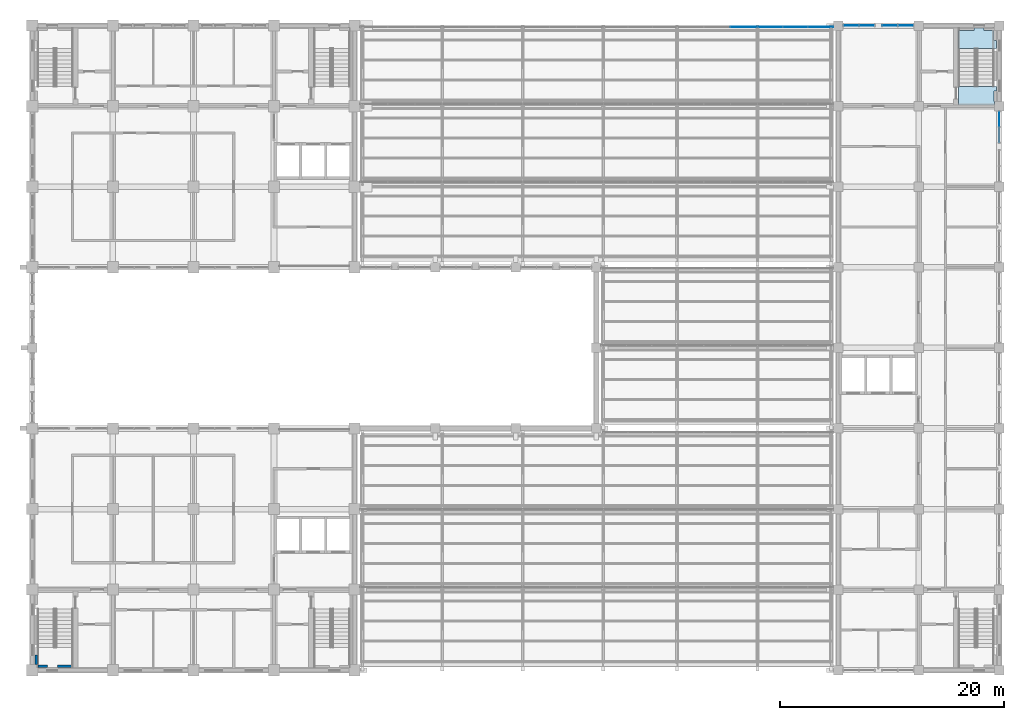
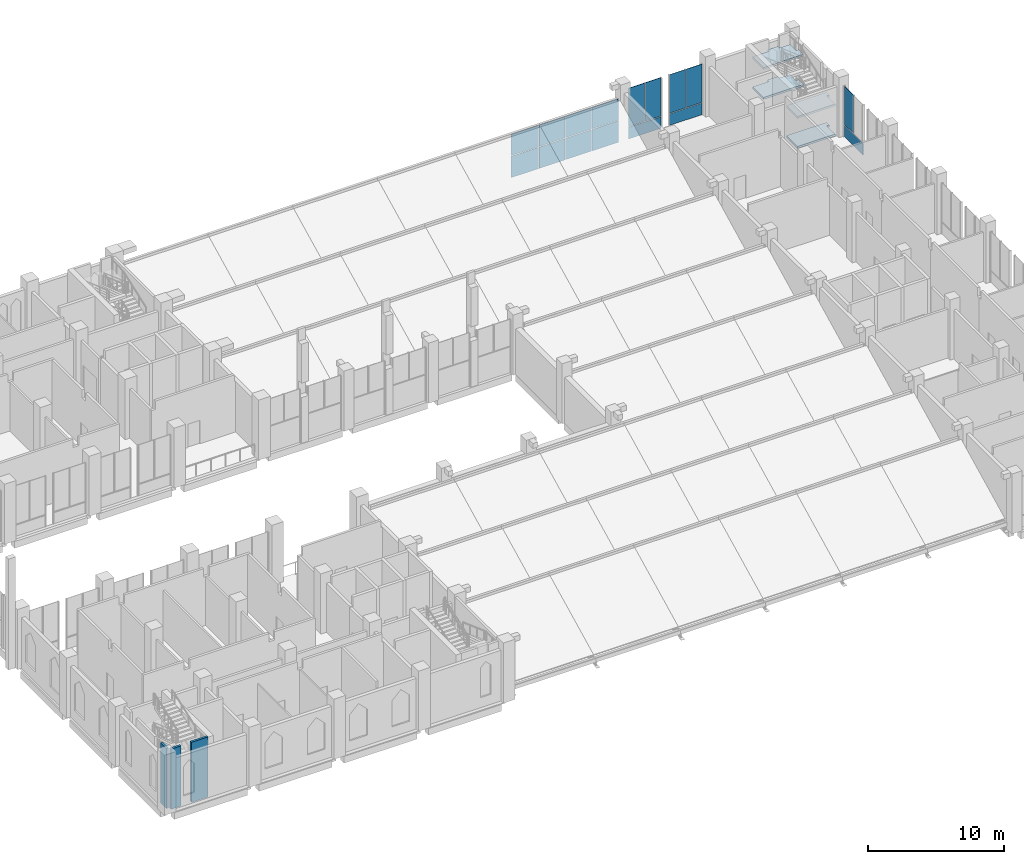
# One storey, part 68 of 83: 16 plates, 4 slabs, 3 walls, 6 elements without a shape of their own.
"""IFC4 building model written with IfcOpenShell, lengths in metres."""

from ifc_helpers import new_model, si_unit, direction, frame, frame_2d, origin, origin_2d, place, context, subcontext, project, spatial, polyline, rectangle, outline, extrude, material, layer, layer_set, type_object, element, aggregate, save


model = new_model("IFC4")

# Units and contexts
model_context = context("Model", 3, precision=1e-05, world=origin(), true_north=direction((0.0, 1.0)))
body_context = subcontext(model_context, "Body", "Model", "MODEL_VIEW")
ifc_project = project(units=[si_unit("LENGTHUNIT", "METRE"), si_unit("AREAUNIT", "SQUARE_METRE"), si_unit("VOLUMEUNIT", "CUBIC_METRE"), si_unit("PLANEANGLEUNIT", "RADIAN"), si_unit("MASSUNIT", "GRAM", prefix="KILO")], contexts=[model_context])

# Site, building, storey
site_placement = place(None, origin())
site = spatial("IfcSite", under=ifc_project, at=site_placement, CompositionType="ELEMENT")
building_placement = place(site_placement, origin())
building = spatial("IfcBuilding", under=site, at=building_placement, Name="Silangan Lancet Faculty of Sciences", CompositionType="ELEMENT")
storey_placement = place(building_placement, frame((0.0, 0.0, 11.39990234375)))
storey = spatial("IfcBuildingStorey", under=building, at=storey_placement, Name="L02", CompositionType="ELEMENT", Elevation=11.39990234375)

# Curtain wall, plate
ifc_material_1 = material(Name="Aluminium framed curtain wall with insulated glass", Category="aluminium")
curtain_wall_type_1 = type_object("IfcCurtainWallType", Name="CW1 Commons and east block glazing", PredefinedType="NOTDEFINED", material=ifc_material_1)
curtain_wall_1_placement = place(storey_placement, origin())
curtain_wall_1 = element("IfcCurtainWall", 1, at=curtain_wall_1_placement, inside=storey, type_object=curtain_wall_type_1, Name="CW1 East commons L02 bay 12", PredefinedType="NOTDEFINED")
ifc_material_2 = material(Name="Insulated glass unit 8+16+8 low-emissivity", Category="glass")
ifc_layer_1 = layer(ifc_material_2, 0.031982421875)
ifc_layer_set_1 = layer_set([ifc_layer_1], Name="Insulated glass unit 8+16+8 low-emissivity")
plate_type_1 = type_object("IfcPlateType", Name="CP1 Panel vision glass 32", PredefinedType="CURTAIN_PANEL", material=ifc_layer_set_1)
plate_1_placement = place(storey_placement, frame((86.39990234375, 49.2412109375, 1.10009765625), z_axis=(0.0, 0.0, 1.0), x_axis=(0.0, 1.0, 0.0)))
plate_1 = element("IfcPlate", 2, at=plate_1_placement, type_object=plate_type_1, Name="CW1 East commons L02 bay 12 panel 3", PredefinedType="CURTAIN_PANEL", context=body_context, shape_type="SweptSolid", body=[
    extrude(rectangle(XDim=1.347412109375, YDim=0.031982421875, at=origin_2d()), origin(), (0.0, 0.0, 1.0), 3.449951171875),
])

# Curtain wall, plates
curtain_wall_2_placement = place(storey_placement, origin())
curtain_wall_2 = element("IfcCurtainWall", 3, at=curtain_wall_2_placement, inside=storey, type_object=curtain_wall_type_1, Name="CW1 East block north L02 bay 1", PredefinedType="NOTDEFINED")
plate_2_placement = place(storey_placement, frame((78.041259765625, 57.60009765625, 1.10009765625), z_axis=(0.0, 0.0, 1.0), x_axis=(-1.0, 0.0, 0.0)))
plate_2 = element("IfcPlate", 4, at=plate_2_placement, type_object=plate_type_1, Name="CW1 East block north L02 bay 1 panel 2", PredefinedType="CURTAIN_PANEL", context=body_context, shape_type="SweptSolid", body=[
    extrude(rectangle(XDim=1.347412109375, YDim=0.031982421875, at=origin_2d()), origin(), (0.0, 0.0, 1.0), 3.449951171875),
])
plate_3_placement = place(storey_placement, frame((76.6337890625, 57.60009765625, 1.10009765625), z_axis=(0.0, 0.0, 1.0), x_axis=(-1.0, 0.0, 0.0)))
plate_3 = element("IfcPlate", 5, at=plate_3_placement, type_object=plate_type_1, Name="CW1 East block north L02 bay 1 panel 3", PredefinedType="CURTAIN_PANEL", context=body_context, shape_type="SweptSolid", body=[
    extrude(rectangle(XDim=1.347412109375, YDim=0.031982421875, at=origin_2d()), origin(), (0.0, 0.0, 1.0), 3.449951171875),
])

curtain_wall_3_placement = place(storey_placement, origin())
curtain_wall_3 = element("IfcCurtainWall", 6, at=curtain_wall_3_placement, inside=storey, type_object=curtain_wall_type_1, Name="CW1 East block north L02 bay 2", PredefinedType="NOTDEFINED")
plate_4_placement = place(storey_placement, frame((74.56640625, 57.60009765625, 1.10009765625), z_axis=(0.0, 0.0, 1.0), x_axis=(-1.0, 0.0, 0.0)))
plate_4 = element("IfcPlate", 7, at=plate_4_placement, type_object=plate_type_1, Name="CW1 East block north L02 bay 2 panel 2", PredefinedType="CURTAIN_PANEL", context=body_context, shape_type="SweptSolid", body=[
    extrude(rectangle(XDim=1.34765625, YDim=0.031982421875, at=origin_2d()), origin(), (0.0, 0.0, 1.0), 3.449951171875),
])
plate_5_placement = place(storey_placement, frame((73.15869140625, 57.60009765625, 1.10009765625), z_axis=(0.0, 0.0, 1.0), x_axis=(-1.0, 0.0, 0.0)))
plate_5 = element("IfcPlate", 8, at=plate_5_placement, type_object=plate_type_1, Name="CW1 East block north L02 bay 2 panel 3", PredefinedType="CURTAIN_PANEL", context=body_context, shape_type="SweptSolid", body=[
    extrude(rectangle(XDim=1.34765625, YDim=0.031982421875, at=origin_2d()), origin(), (0.0, 0.0, 1.0), 3.449951171875),
])

# Plate
ifc_material_3 = material(Name="Laminated insulated glass unit 10.76+14+8", Category="glass")
ifc_layer_2 = layer(ifc_material_3, 0.035888671875)
ifc_layer_set_2 = layer_set([ifc_layer_2], Name="Laminated insulated glass unit 10.76+14+8")
plate_type_2 = type_object("IfcPlateType", Name="CP2 Panel laminated glass 36", PredefinedType="CURTAIN_PANEL", material=ifc_layer_set_2)
plate_6_placement = place(storey_placement, frame((86.39990234375, 48.53759765625, 0.0), z_axis=(0.0, 0.0, 1.0), x_axis=(0.0, 1.0, 0.0)))
plate_6 = element("IfcPlate", 9, at=plate_6_placement, type_object=plate_type_2, Name="CW1 East commons L02 bay 12 panel 1", PredefinedType="CURTAIN_PANEL", context=body_context, shape_type="SweptSolid", body=[
    extrude(rectangle(XDim=2.7548828125, YDim=0.035888671875, at=origin_2d()), origin(), (0.0, 0.0, 1.0), 1.0400390625),
])

aggregate(curtain_wall_1, [plate_6, plate_1])

plate_7_placement = place(storey_placement, frame((77.337646484375, 57.60009765625, 0.0), z_axis=(0.0, 0.0, 1.0), x_axis=(-1.0, 0.0, 0.0)))
plate_7 = element("IfcPlate", 10, at=plate_7_placement, type_object=plate_type_2, Name="CW1 East block north L02 bay 1 panel 1", PredefinedType="CURTAIN_PANEL", context=body_context, shape_type="SweptSolid", body=[
    extrude(rectangle(XDim=2.7548828125, YDim=0.035888671875, at=origin_2d()), origin(), (0.0, 0.0, 1.0), 1.0400390625),
])

aggregate(curtain_wall_2, [plate_7, plate_2, plate_3])

plate_8_placement = place(storey_placement, frame((73.862548828125, 57.60009765625, 0.0), z_axis=(0.0, 0.0, 1.0), x_axis=(-1.0, 0.0, 0.0)))
plate_8 = element("IfcPlate", 11, at=plate_8_placement, type_object=plate_type_2, Name="CW1 East block north L02 bay 2 panel 1", PredefinedType="CURTAIN_PANEL", context=body_context, shape_type="SweptSolid", body=[
    extrude(rectangle(XDim=2.755126953125, YDim=0.035888671875, at=origin_2d()), origin(), (0.0, 0.0, 1.0), 1.0400390625),
])

aggregate(curtain_wall_3, [plate_8, plate_4, plate_5])

# Curtain wall, plates
ifc_material_4 = material(Name="Aluminium and laminated glass", Category="aluminium")
curtain_wall_type_2 = type_object("IfcCurtainWallType", Name="North light glazing system", PredefinedType="NOTDEFINED", material=ifc_material_4)
curtain_wall_4_placement = place(storey_placement, origin())
curtain_wall_4 = element("IfcCurtainWall", 12, at=curtain_wall_4_placement, inside=storey, type_object=curtain_wall_type_2, Name="North light glazing NAB-3-6", PredefinedType="NOTDEFINED")
ifc_material_5 = material(Name="Laminated glass 12 + 12", Category="glass")
ifc_layer_3 = layer(ifc_material_5, 0.02392578125)
ifc_layer_set_3 = layer_set([ifc_layer_3], Name="Laminated glass 12 + 12")
plate_type_3 = type_object("IfcPlateType", Name="North light glass panel 2188x1917", PredefinedType="CURTAIN_PANEL", material=ifc_layer_set_3)
plate_9_placement = place(storey_placement, frame((64.830078125, 57.472900390625, 0.10009765625), z_axis=(0.0, -1.0, 0.0), x_axis=(1.0, 0.0, 0.0)))
plate_9 = element("IfcPlate", 13, at=plate_9_placement, type_object=plate_type_3, Name="North light glass NAB-3-6 1-1", PredefinedType="CURTAIN_PANEL", context=body_context, shape_type="SweptSolid", body=[
    extrude(outline(polyline([(0.0, 0.0), (2.188232421875, 0.0), (2.188232421875, 1.9169921875), (0.0, 1.9169921875), (0.0, 0.0)])), origin(), (0.0, 0.0, -1.0), 0.02392578125),
])
plate_10_placement = place(storey_placement, frame((64.830078125, 57.472900390625, 2.0771484375), z_axis=(0.0, -1.0, 0.0), x_axis=(1.0, 0.0, 0.0)))
plate_10 = element("IfcPlate", 14, at=plate_10_placement, type_object=plate_type_3, Name="North light glass NAB-3-6 2-1", PredefinedType="CURTAIN_PANEL", context=body_context, shape_type="SweptSolid", body=[
    extrude(outline(polyline([(0.0, 0.0), (2.188232421875, 0.0), (2.188232421875, 1.9169921875), (0.0, 1.9169921875), (0.0, 0.0)])), origin(), (0.0, 0.0, -1.0), 0.02392578125),
])
plate_11_placement = place(storey_placement, frame((67.078369140625, 57.472900390625, 0.10009765625), z_axis=(0.0, -1.0, 0.0), x_axis=(1.0, 0.0, 0.0)))
plate_11 = element("IfcPlate", 15, at=plate_11_placement, type_object=plate_type_3, Name="North light glass NAB-3-6 1-2", PredefinedType="CURTAIN_PANEL", context=body_context, shape_type="SweptSolid", body=[
    extrude(outline(polyline([(0.0, 0.0), (2.188232421875, 0.0), (2.188232421875, 1.9169921875), (0.0, 1.9169921875), (0.0, 0.0)])), origin(), (0.0, 0.0, -1.0), 0.02392578125),
])
plate_12_placement = place(storey_placement, frame((67.078369140625, 57.472900390625, 2.0771484375), z_axis=(0.0, -1.0, 0.0), x_axis=(1.0, 0.0, 0.0)))
plate_12 = element("IfcPlate", 16, at=plate_12_placement, type_object=plate_type_3, Name="North light glass NAB-3-6 2-2", PredefinedType="CURTAIN_PANEL", context=body_context, shape_type="SweptSolid", body=[
    extrude(outline(polyline([(0.0, 0.0), (2.188232421875, 0.0), (2.188232421875, 1.9169921875), (0.0, 1.9169921875), (0.0, 0.0)])), origin(), (0.0, 0.0, -1.0), 0.02392578125),
])
ifc_material_6 = material(Name="Laminated glass 12 + 12", Category="glass")
ifc_layer_4 = layer(ifc_material_6, 0.02392578125)
ifc_layer_set_4 = layer_set([ifc_layer_4], Name="Laminated glass 12 + 12")
plate_type_4 = type_object("IfcPlateType", Name="North light glass panel 2248x1917", PredefinedType="CURTAIN_PANEL", material=ifc_layer_set_4)
plate_13_placement = place(storey_placement, frame((69.32666015625, 57.472900390625, 0.10009765625), z_axis=(0.0, -1.0, 0.0), x_axis=(1.0, 0.0, 0.0)))
plate_13 = element("IfcPlate", 17, at=plate_13_placement, type_object=plate_type_4, Name="North light glass NAB-3-6 1-3", PredefinedType="CURTAIN_PANEL", context=body_context, shape_type="SweptSolid", body=[
    extrude(outline(polyline([(0.0, 0.0), (2.248291015625, 0.0), (2.248291015625, 1.9169921875), (0.0, 1.9169921875), (0.0, 0.0)])), origin(), (0.0, 0.0, -1.0), 0.02392578125),
])
plate_14_placement = place(storey_placement, frame((69.32666015625, 57.472900390625, 2.0771484375), z_axis=(0.0, -1.0, 0.0), x_axis=(1.0, 0.0, 0.0)))
plate_14 = element("IfcPlate", 18, at=plate_14_placement, type_object=plate_type_4, Name="North light glass NAB-3-6 2-3", PredefinedType="CURTAIN_PANEL", context=body_context, shape_type="SweptSolid", body=[
    extrude(outline(polyline([(0.0, 0.0), (2.248291015625, 0.0), (2.248291015625, 1.9169921875), (0.0, 1.9169921875), (0.0, 0.0)])), origin(), (0.0, 0.0, -1.0), 0.02392578125),
])
aggregate(curtain_wall_4, [plate_9, plate_10, plate_11, plate_12, plate_13, plate_14])

curtain_wall_5_placement = place(storey_placement, origin())
curtain_wall_5 = element("IfcCurtainWall", 19, at=curtain_wall_5_placement, inside=storey, type_object=curtain_wall_type_2, Name="North light glazing NAB-3-5", PredefinedType="NOTDEFINED")
ifc_material_7 = material(Name="Laminated glass 12 + 12", Category="glass")
ifc_layer_5 = layer(ifc_material_7, 0.02392578125)
ifc_layer_set_5 = layer_set([ifc_layer_5], Name="Laminated glass 12 + 12")
plate_type_5 = type_object("IfcPlateType", Name="North light glass panel 2340x1917", PredefinedType="CURTAIN_PANEL", material=ifc_layer_set_5)
plate_15_placement = place(storey_placement, frame((62.429931640625, 57.472900390625, 0.10009765625), z_axis=(0.0, -1.0, 0.0), x_axis=(1.0, 0.0, 0.0)))
plate_15 = element("IfcPlate", 20, at=plate_15_placement, type_object=plate_type_5, Name="North light glass NAB-3-5 1-3", PredefinedType="CURTAIN_PANEL", context=body_context, shape_type="SweptSolid", body=[
    extrude(outline(polyline([(0.0, 0.0), (2.340087890625, 0.0), (2.340087890625, 1.9169921875), (0.0, 1.9169921875), (0.0, 0.0)])), origin(), (0.0, 0.0, -1.0), 0.02392578125),
])
plate_16_placement = place(storey_placement, frame((62.429931640625, 57.472900390625, 2.0771484375), z_axis=(0.0, -1.0, 0.0), x_axis=(1.0, 0.0, 0.0)))
plate_16 = element("IfcPlate", 21, at=plate_16_placement, type_object=plate_type_5, Name="North light glass NAB-3-5 2-3", PredefinedType="CURTAIN_PANEL", context=body_context, shape_type="SweptSolid", body=[
    extrude(outline(polyline([(0.0, 0.0), (2.340087890625, 0.0), (2.340087890625, 1.9169921875), (0.0, 1.9169921875), (0.0, 0.0)])), origin(), (0.0, 0.0, -1.0), 0.02392578125),
])
aggregate(curtain_wall_5, [plate_15, plate_16])

# Stair, slabs
ifc_material_8 = material(Name="Concrete C40/50", Category="concrete")
stair_type = type_object("IfcStairType", Name="TURRET STAIR 1550 FOUR-FLIGHT", PredefinedType="DOUBLE_RETURN_STAIR", material=ifc_material_8)
stair_placement = place(storey_placement, origin())
stair = element("IfcStair", 22, at=stair_placement, inside=storey, type_object=stair_type, Name="EB-B stair L02", PredefinedType="DOUBLE_RETURN_STAIR")
ifc_material_9 = material(Name="Concrete C40/50", Category="concrete")
ifc_layer_6 = layer(ifc_material_9, 0.179931640625)
ifc_layer_set_6 = layer_set([ifc_layer_6], Name="Concrete C40/50")
slab_type = type_object("IfcSlabType", Name="TURRET STAIR LANDING RC 180", PredefinedType="LANDING", material=ifc_layer_set_6)
slab_1_placement = place(storey_placement, frame((0.0, 0.0, -0.179931640625)))
slab_1 = element("IfcSlab", 23, at=slab_1_placement, type_object=slab_type, Name="STR10 landing 1", PredefinedType="LANDING", context=body_context, shape_type="SweptSolid", body=[
    extrude(outline(polyline([(85.949951171875, 50.824951171875), (85.97509765625, 50.824951171875), (85.97509765625, 50.52490234375), (82.75, 50.52490234375), (82.75, 52.14990234375), (86.175048828125, 52.14990234375), (86.175048828125, 51.75), (85.949951171875, 51.75), (85.949951171875, 50.824951171875)])), origin(), (0.0, 0.0, 1.0), 0.179931640625),
])
slab_2_placement = place(storey_placement, frame((0.0, 0.0, 1.170166015625)))
slab_2 = element("IfcSlab", 24, at=slab_2_placement, type_object=slab_type, Name="STR10 landing 2", PredefinedType="LANDING", context=body_context, shape_type="SweptSolid", body=[
    extrude(outline(polyline([(85.949951171875, 57.14990234375), (85.949951171875, 56.25), (86.175048828125, 56.25), (86.175048828125, 55.550048828125), (82.75, 55.550048828125), (82.75, 57.14990234375), (84.14990234375, 57.14990234375), (84.14990234375, 57.375), (85.050048828125, 57.375), (85.050048828125, 57.14990234375), (85.949951171875, 57.14990234375)])), origin(), (0.0, 0.0, 1.0), 0.179931640625),
])
slab_3_placement = place(storey_placement, frame((0.0, 0.0, 2.52001953125)))
slab_3 = element("IfcSlab", 25, at=slab_3_placement, type_object=slab_type, Name="STR10 landing 3", PredefinedType="LANDING", context=body_context, shape_type="SweptSolid", body=[
    extrude(outline(polyline([(85.949951171875, 50.824951171875), (85.97509765625, 50.824951171875), (85.97509765625, 50.52490234375), (82.75, 50.52490234375), (82.75, 52.14990234375), (86.175048828125, 52.14990234375), (86.175048828125, 51.75), (85.949951171875, 51.75), (85.949951171875, 50.824951171875)])), origin(), (0.0, 0.0, 1.0), 0.18017578125),
])
slab_4_placement = place(storey_placement, frame((0.0, 0.0, 3.8701171875)))
slab_4 = element("IfcSlab", 26, at=slab_4_placement, type_object=slab_type, Name="STR10 landing 4", PredefinedType="LANDING", context=body_context, shape_type="SweptSolid", body=[
    extrude(outline(polyline([(85.949951171875, 57.14990234375), (85.949951171875, 56.25), (86.175048828125, 56.25), (86.175048828125, 55.550048828125), (82.75, 55.550048828125), (82.75, 57.14990234375), (84.14990234375, 57.14990234375), (84.14990234375, 57.375), (85.050048828125, 57.375), (85.050048828125, 57.14990234375), (85.949951171875, 57.14990234375)])), origin(), (0.0, 0.0, 1.0), 0.179931640625),
])
aggregate(stair, [slab_1, slab_2, slab_3, slab_4])

# Walls
ifc_material_10 = material(Name="Concrete C40/50", Category="concrete")
ifc_layer_7 = layer(ifc_material_10, 0.199951171875)
ifc_layer_set_7 = layer_set([ifc_layer_7], Name="Concrete C40/50")
wall_type = type_object("IfcWallType", Name="TURRET LINING WALL RC 200", PredefinedType="SHEAR", material=ifc_layer_set_7)
for number, where, z_axis, x_axis, name in (
    (27, (0.35009765625, 0.5, -0.25), (0.0, 0.0, 1.0), (0.0, 1.0, 0.0), "WALL-L02-ST-A-WL"),
    (28, (0.5, 0.35009765625, -0.25), (0.0, 0.0, 1.0), (1.0, 0.0, 0.0), "WALL-L02-ST-A-WLD"),
):
    element("IfcWall", number, at=place(storey_placement, frame(where, z_axis=z_axis, x_axis=x_axis)), inside=storey, type_object=wall_type, Name=name, PredefinedType="SHEAR", context=body_context, shape_type="SweptSolid", body=[
        extrude(rectangle(XDim=0.85009765625, YDim=0.199951171875, at=frame_2d((0.425048828125, 0.0))), origin(), (0.0, 0.0, 1.0), 5.400146484375),
    ])
wall_placement = place(storey_placement, frame((2.25, 0.35009765625, -0.25), z_axis=(0.0, 0.0, 1.0), x_axis=(1.0, 0.0, 0.0)))
element("IfcWall", 29, at=wall_placement, inside=storey, type_object=wall_type, Name="WALL-L02-ST-A-WLD-2", PredefinedType="SHEAR", context=body_context, shape_type="SweptSolid", body=[
    extrude(rectangle(XDim=1.39990234375, YDim=0.199951171875, at=frame_2d((0.699951171875, 0.0))), origin(), (0.0, 0.0, 1.0), 5.400146484375),
])

save(model, "model.ifc")
